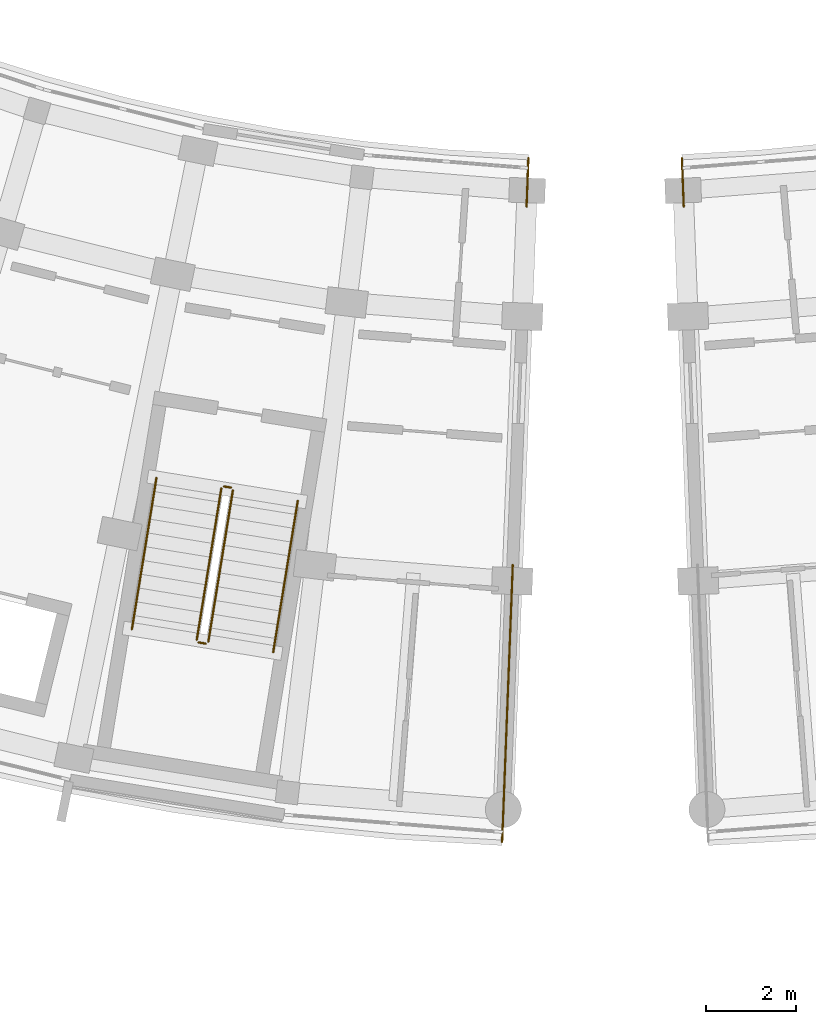
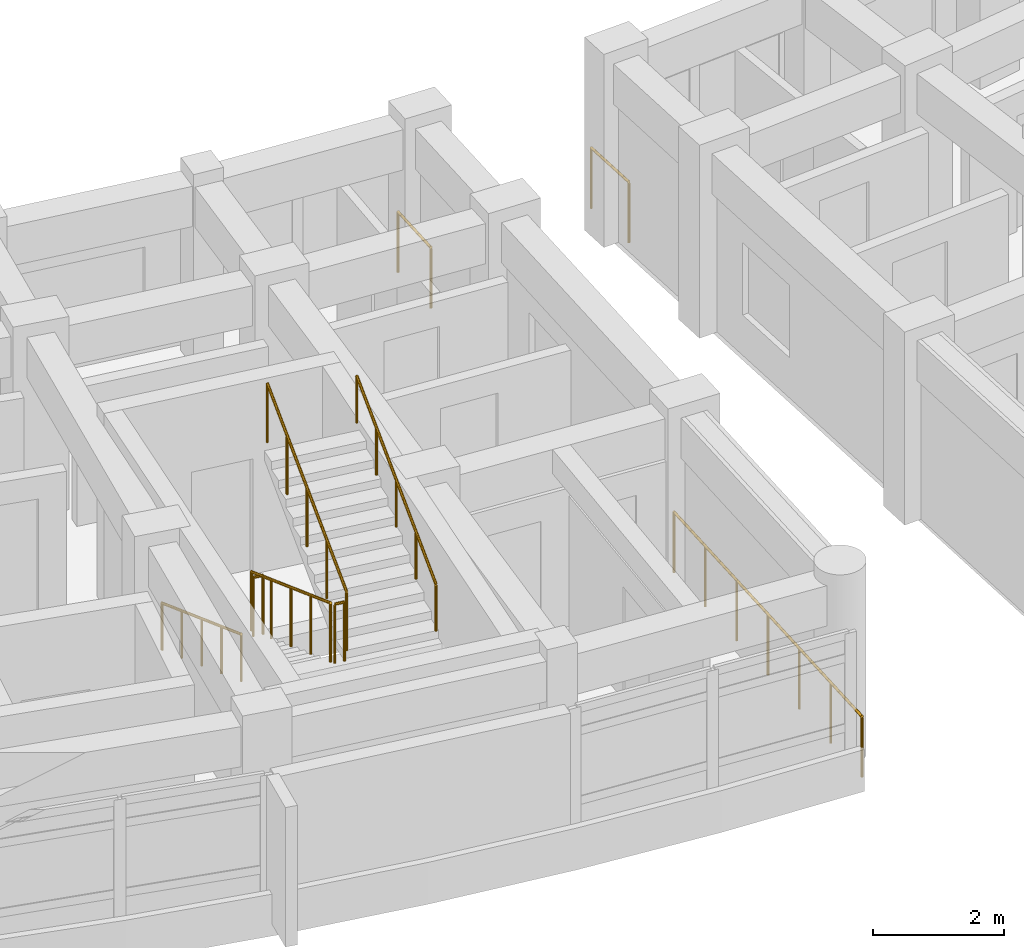
# One storey, part 72 of 83: 9 railings.
"""IFC4 building model written with IfcOpenShell, lengths in metres."""

from ifc_helpers import new_model, si_unit, direction, frame, origin, origin_2d, place, context, subcontext, project, spatial, circle, extrude, material, type_object, element, save


model = new_model("IFC4")

# Units and contexts
model_context = context("Model", 3, precision=1e-05, world=origin(), true_north=direction((0.0, 1.0)))
body_context = subcontext(model_context, "Body", "Model", "MODEL_VIEW")
ifc_project = project(units=[si_unit("LENGTHUNIT", "METRE"), si_unit("AREAUNIT", "SQUARE_METRE"), si_unit("VOLUMEUNIT", "CUBIC_METRE"), si_unit("PLANEANGLEUNIT", "RADIAN"), si_unit("MASSUNIT", "GRAM", prefix="KILO")], contexts=[model_context])

# Site, building, storey
site_placement = place(None, origin())
site = spatial("IfcSite", under=ifc_project, at=site_placement, CompositionType="ELEMENT")
building_placement = place(site_placement, origin())
building = spatial("IfcBuilding", under=site, at=building_placement, Name="Zimvara Arc Housing Community", CompositionType="ELEMENT")
storey_placement = place(building_placement, frame((0.0, 0.0, 4.5)))
storey = spatial("IfcBuildingStorey", under=building, at=storey_placement, Name="L01", CompositionType="ELEMENT", Elevation=4.5)

# Railings
ifc_material_1 = material(Name="Anodised Aluminium AW-6063", Category="aluminium")
railing_type_1 = type_object("IfcRailingType", Name="RLG-BAL-1120", PredefinedType="BALUSTRADE", material=ifc_material_1)
railing_1_placement = place(storey_placement, frame((117.455810546875, 58.15771484375, 0.14990234375)))
element("IfcRailing", 1, at=railing_1_placement, inside=storey, type_object=railing_type_1, Name="L01 ST-C2 stair guard 1", PredefinedType="BALUSTRADE", context=body_context, shape_type="SweptSolid", body=[
    extrude(circle(Radius=0.02392578125, at=origin_2d()), frame((0.0, 0.0, 1.09619140625), z_axis=(-0.144238126339, -0.88850170228, 0.435614609438), x_axis=(0.98707794429, -0.160240855892, 0.0)), (0.0, 0.0, 1.0), 3.7880859375),
    extrude(circle(Radius=0.02099609375, at=origin_2d()), origin(), (0.0, 0.0, 1.0), 1.072021484375),
    extrude(circle(Radius=0.02099609375, at=origin_2d()), frame((-0.13671875, -0.84130859375, 0.41259765625)), (0.0, 0.0, 1.0), 1.072021484375),
    extrude(circle(Radius=0.02099609375, at=origin_2d()), frame((-0.273193359375, -1.682861328125, 0.8251953125)), (0.0, 0.0, 1.0), 1.072021484375),
    extrude(circle(Radius=0.02099609375, at=origin_2d()), frame((-0.40966796875, -2.5244140625, 1.237548828125)), (0.0, 0.0, 1.0), 1.072021484375),
    extrude(circle(Radius=0.02099609375, at=origin_2d()), frame((-0.54638671875, -3.36572265625, 1.650146484375)), (0.0, 0.0, 1.0), 1.072021484375),
])
railing_2_placement = place(storey_placement, frame((116.950927734375, 54.734619140625, 1.800048828125)))
element("IfcRailing", 2, at=railing_2_placement, inside=storey, type_object=railing_type_1, Name="L01 ST-C2 stair guard 2", PredefinedType="BALUSTRADE", context=body_context, shape_type="SweptSolid", body=[
    extrude(circle(Radius=0.02392578125, at=origin_2d()), frame((0.0, 0.0, 1.09619140625), z_axis=(0.987046686375, -0.160433284937, 0.0), x_axis=(0.160433284937, 0.987046686375, 0.0)), (0.0, 0.0, 1.0), 0.15966796875),
    extrude(circle(Radius=0.02099609375, at=origin_2d()), origin(), (0.0, 0.0, 1.0), 1.072021484375),
    extrude(circle(Radius=0.02099609375, at=origin_2d()), frame((0.15771484375, -0.025634765625, 0.0)), (0.0, 0.0, 1.0), 1.072021484375),
])
railing_3_placement = place(storey_placement, frame((117.166015625, 54.750244140625, 1.949951171875)))
element("IfcRailing", 3, at=railing_3_placement, inside=storey, type_object=railing_type_1, Name="L01 ST-C2 stair guard 3", PredefinedType="BALUSTRADE", context=body_context, shape_type="SweptSolid", body=[
    extrude(circle(Radius=0.02392578125, at=origin_2d()), frame((0.0, 0.0, 1.09619140625), z_axis=(0.144229867162, 0.888515271919, 0.435589665838), x_axis=(-0.987079782578, 0.16022953169, 0.0)), (0.0, 0.0, 1.0), 3.788330078125),
    extrude(circle(Radius=0.02099609375, at=origin_2d()), origin(), (0.0, 0.0, 1.0), 1.072021484375),
    extrude(circle(Radius=0.02099609375, at=origin_2d()), frame((0.13671875, 0.841552734375, 0.41259765625)), (0.0, 0.0, 1.0), 1.072021484375),
    extrude(circle(Radius=0.02099609375, at=origin_2d()), frame((0.273193359375, 1.68310546875, 0.8251953125)), (0.0, 0.0, 1.0), 1.072021484375),
    extrude(circle(Radius=0.02099609375, at=origin_2d()), frame((0.40966796875, 2.5244140625, 1.237548828125)), (0.0, 0.0, 1.0), 1.072021484375),
    extrude(circle(Radius=0.02099609375, at=origin_2d()), frame((0.54638671875, 3.365966796875, 1.650146484375)), (0.0, 0.0, 1.0), 1.072021484375),
])
railing_4_placement = place(storey_placement, frame((117.51318359375, 58.19921875, 0.0)))
element("IfcRailing", 4, at=railing_4_placement, inside=storey, type_object=railing_type_1, Name="L01 ST-C2 stair guard 4", PredefinedType="BALUSTRADE", context=body_context, shape_type="SweptSolid", body=[
    extrude(circle(Radius=0.02392578125, at=origin_2d()), frame((0.0, 0.0, 1.09619140625), z_axis=(0.987085924886, -0.160191687964, 0.0), x_axis=(0.160191687964, 0.987085924886, 0.0)), (0.0, 0.0, 1.0), 0.159912109375),
    extrude(circle(Radius=0.02099609375, at=origin_2d()), origin(), (0.0, 0.0, 1.0), 1.072021484375),
    extrude(circle(Radius=0.02099609375, at=origin_2d()), frame((0.157958984375, -0.025634765625, 0.0)), (0.0, 0.0, 1.0), 1.072021484375),
])
ifc_material_2 = material(Name="Anodised Aluminium AW-6063", Category="aluminium")
railing_type_2 = type_object("IfcRailingType", Name="RLG-BAL-1150", PredefinedType="BALUSTRADE", material=ifc_material_2)
railing_5_placement = place(storey_placement, frame((124.275634765625, 65.49267578125, 0.0)))
element("IfcRailing", 5, at=railing_5_placement, inside=storey, type_object=railing_type_2, Name="rlg:blkC:L01:gable_in:gN", PredefinedType="BALUSTRADE", context=body_context, shape_type="SweptSolid", body=[
    extrude(circle(Radius=0.02392578125, at=origin_2d()), frame((0.0, 0.0, 1.1259765625), z_axis=(-0.038433122101, -0.999261174631, 0.0), x_axis=(0.999261174631, -0.038433122101, 0.0)), (0.0, 0.0, 1.0), 1.079833984375),
    extrude(circle(Radius=0.02099609375, at=origin_2d()), origin(), (0.0, 0.0, 1.0), 1.101806640625),
    extrude(circle(Radius=0.02099609375, at=origin_2d()), frame((-0.04150390625, -1.0791015625, 0.0)), (0.0, 0.0, 1.0), 1.101806640625),
])
railing_6_placement = place(storey_placement, frame((123.928466796875, 56.45947265625, 0.0)))
element("IfcRailing", 6, at=railing_6_placement, inside=storey, type_object=railing_type_2, Name="rlg:blkC:L01:gable_out:gN", PredefinedType="BALUSTRADE", context=body_context, shape_type="SweptSolid", body=[
    extrude(circle(Radius=0.02392578125, at=origin_2d()), frame((0.0, 0.0, 1.1259765625), z_axis=(-0.038364627964, -0.99926380667, 0.0), x_axis=(0.99926380667, -0.038364627964, 0.0)), (0.0, 0.0, 1.0), 6.16015625),
    extrude(circle(Radius=0.02099609375, at=origin_2d()), origin(), (0.0, 0.0, 1.0), 1.101806640625),
    extrude(circle(Radius=0.02099609375, at=origin_2d()), frame((-0.039306640625, -1.02587890625, 0.0)), (0.0, 0.0, 1.0), 1.101806640625),
    extrude(circle(Radius=0.02099609375, at=origin_2d()), frame((-0.078857421875, -2.0517578125, 0.0)), (0.0, 0.0, 1.0), 1.101806640625),
    extrude(circle(Radius=0.02099609375, at=origin_2d()), frame((-0.1181640625, -3.07763671875, 0.0)), (0.0, 0.0, 1.0), 1.101806640625),
    extrude(circle(Radius=0.02099609375, at=origin_2d()), frame((-0.157470703125, -4.103759765625, 0.0)), (0.0, 0.0, 1.0), 1.101806640625),
    extrude(circle(Radius=0.02099609375, at=origin_2d()), frame((-0.197021484375, -5.129638671875, 0.0)), (0.0, 0.0, 1.0), 1.101806640625),
    extrude(circle(Radius=0.02099609375, at=origin_2d()), frame((-0.236328125, -6.155517578125, 0.0)), (0.0, 0.0, 1.0), 1.101806640625),
])
railing_7_placement = place(storey_placement, frame((127.684326171875, 65.49267578125, 0.0)))
element("IfcRailing", 7, at=railing_7_placement, inside=storey, type_object=railing_type_2, Name="rlg:blkD:L01:gable_in:g0", PredefinedType="BALUSTRADE", context=body_context, shape_type="SweptSolid", body=[
    extrude(circle(Radius=0.02392578125, at=origin_2d()), frame((0.0, 0.0, 1.1259765625), z_axis=(0.038433122101, -0.999261174631, 0.0), x_axis=(0.999261174631, 0.038433122101, 0.0)), (0.0, 0.0, 1.0), 1.079833984375),
    extrude(circle(Radius=0.02099609375, at=origin_2d()), origin(), (0.0, 0.0, 1.0), 1.101806640625),
    extrude(circle(Radius=0.02099609375, at=origin_2d()), frame((0.04150390625, -1.0791015625, 0.0)), (0.0, 0.0, 1.0), 1.101806640625),
])
ifc_material_3 = material(Name="Anodised Aluminium AW-6063", Category="aluminium")
railing_type_3 = type_object("IfcRailingType", Name="RLG-HND-900", PredefinedType="HANDRAIL", material=ifc_material_3)
railing_8_placement = place(storey_placement, frame((116.0146484375, 58.391845703125, 0.14990234375)))
element("IfcRailing", 8, at=railing_8_placement, inside=storey, type_object=railing_type_3, Name="L01 ST-C2 stair handrail 1", PredefinedType="HANDRAIL", context=body_context, shape_type="SweptSolid", body=[
    extrude(circle(Radius=0.02392578125, at=origin_2d()), frame((0.0, 0.0, 0.8759765625), z_axis=(-0.144229867162, -0.888515271919, 0.435589665838), x_axis=(0.987079782578, -0.16022953169, 0.0)), (0.0, 0.0, 1.0), 3.788330078125),
    extrude(circle(Radius=0.02099609375, at=origin_2d()), origin(), (0.0, 0.0, 1.0), 0.851806640625),
    extrude(circle(Radius=0.02099609375, at=origin_2d()), frame((-0.13671875, -0.841552734375, 0.41259765625)), (0.0, 0.0, 1.0), 0.851806640625),
    extrude(circle(Radius=0.02099609375, at=origin_2d()), frame((-0.273193359375, -1.68310546875, 0.8251953125)), (0.0, 0.0, 1.0), 0.851806640625),
    extrude(circle(Radius=0.02099609375, at=origin_2d()), frame((-0.40966796875, -2.5244140625, 1.237548828125)), (0.0, 0.0, 1.0), 0.851806640625),
    extrude(circle(Radius=0.02099609375, at=origin_2d()), frame((-0.54638671875, -3.365966796875, 1.650146484375)), (0.0, 0.0, 1.0), 0.851806640625),
])
railing_9_placement = place(storey_placement, frame((118.607177734375, 54.516357421875, 1.949951171875)))
element("IfcRailing", 9, at=railing_9_placement, inside=storey, type_object=railing_type_3, Name="L01 ST-C2 stair handrail 2", PredefinedType="HANDRAIL", context=body_context, shape_type="SweptSolid", body=[
    extrude(circle(Radius=0.02392578125, at=origin_2d()), frame((0.0, 0.0, 0.8759765625), z_axis=(0.144229867162, 0.888515271919, 0.435589665838), x_axis=(-0.987079782578, 0.16022953169, 0.0)), (0.0, 0.0, 1.0), 3.788330078125),
    extrude(circle(Radius=0.02099609375, at=origin_2d()), origin(), (0.0, 0.0, 1.0), 0.851806640625),
    extrude(circle(Radius=0.02099609375, at=origin_2d()), frame((0.13671875, 0.841552734375, 0.41259765625)), (0.0, 0.0, 1.0), 0.851806640625),
    extrude(circle(Radius=0.02099609375, at=origin_2d()), frame((0.273193359375, 1.68310546875, 0.8251953125)), (0.0, 0.0, 1.0), 0.851806640625),
    extrude(circle(Radius=0.02099609375, at=origin_2d()), frame((0.40966796875, 2.5244140625, 1.237548828125)), (0.0, 0.0, 1.0), 0.851806640625),
    extrude(circle(Radius=0.02099609375, at=origin_2d()), frame((0.54638671875, 3.365966796875, 1.650146484375)), (0.0, 0.0, 1.0), 0.851806640625),
])

save(model, "model.ifc")
